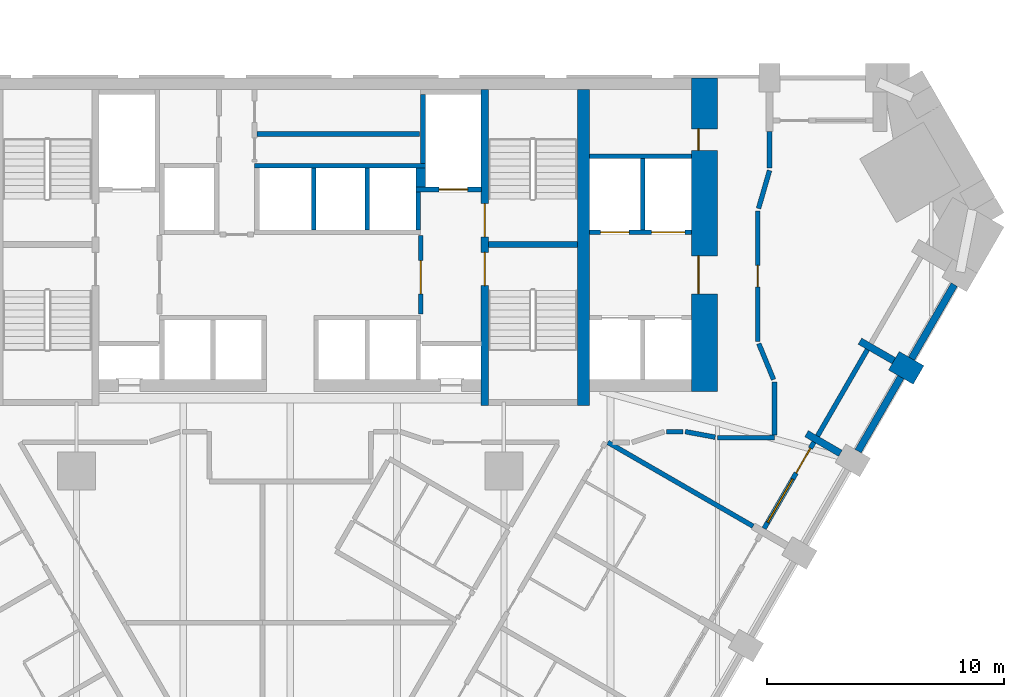
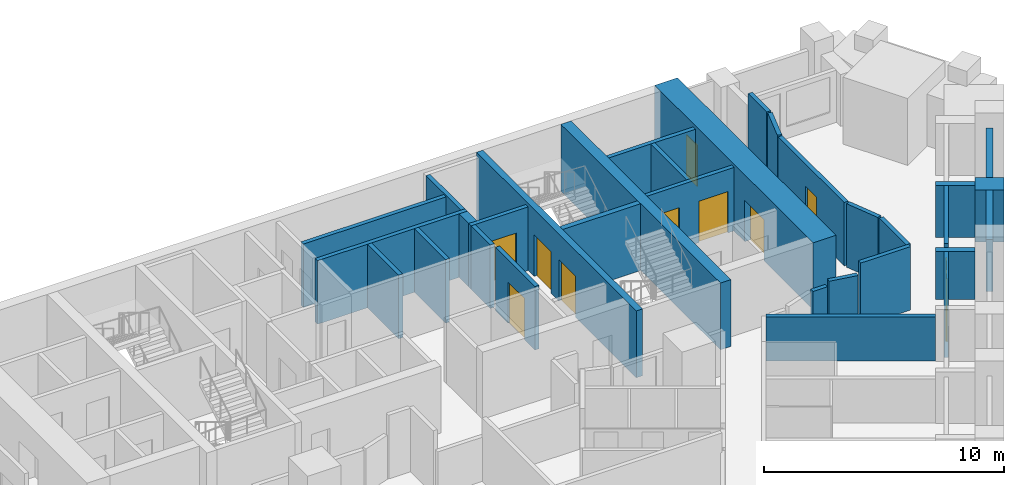
# One storey, part 9 of 12: 32 walls, 10 doors, 1 window, 11 openings.
"""IFC4 building model written with IfcOpenShell, lengths in metres."""

from ifc_helpers import new_model, si_unit, direction, frame, frame_2d, origin, place, context, subcontext, project, spatial, rectangle, extrude, material, layer, layer_set, type_object, element, fill, save


model = new_model("IFC4")

# Units and contexts
model_context = context("Model", 3, precision=1e-05, world=origin(), true_north=direction((0.0, 1.0)))
body_context = subcontext(model_context, "Body", "Model", "MODEL_VIEW")
ifc_project = project(units=[si_unit("LENGTHUNIT", "METRE"), si_unit("AREAUNIT", "SQUARE_METRE"), si_unit("VOLUMEUNIT", "CUBIC_METRE"), si_unit("PLANEANGLEUNIT", "RADIAN"), si_unit("MASSUNIT", "GRAM", prefix="KILO")], contexts=[model_context])

# Site, building, storey
site_placement = place(None, origin())
site = spatial("IfcSite", under=ifc_project, at=site_placement, CompositionType="ELEMENT")
building_placement = place(site_placement, origin())
building = spatial("IfcBuilding", under=site, at=building_placement, Name="Calabash Gate Tower", CompositionType="ELEMENT")
storey_placement = place(building_placement, frame((0.0, 0.0, 76.60009765625)))
storey = spatial("IfcBuildingStorey", under=building, at=storey_placement, Name="L15", CompositionType="ELEMENT", Elevation=76.60009765625)

# Walls
ifc_material_1 = material(Name="Terracotta brick masonry, exposed face", Category="masonry")
ifc_layer_1 = layer(ifc_material_1, 1.199951171875)
ifc_layer_set_1 = layer_set([ifc_layer_1], Name="Brick end wall 1200")
wall_type_1 = type_object("IfcWallType", Name="Brick end wall 1200", PredefinedType="SOLIDWALL", material=ifc_layer_set_1)
wall_1_placement = place(storey_placement, frame((26.467041015625, 6.537353515625, 0.0), z_axis=(0.0, 0.0, 1.0), x_axis=(-0.866043267704, 0.499969057507, 0.0)))
element("IfcWall", 1, at=wall_1_placement, inside=storey, type_object=wall_type_1, Name="Brick pier S04 SE2.9", PredefinedType="SOLIDWALL", context=body_context, shape_type="SweptSolid", body=[
    extrude(rectangle(XDim=1.19970703125, YDim=0.89990234375, at=frame_2d((0.599853515625, 0.0))), origin(), (0.0, 0.0, 1.0), 2.6298828125),
])
ifc_material_2 = material(Name="Terracotta brick masonry, exposed face", Category="masonry")
ifc_layer_2 = layer(ifc_material_2, 0.300048828125)
ifc_layer_set_2 = layer_set([ifc_layer_2], Name="Brick infill panel wall 300")
wall_type_2 = type_object("IfcWallType", Name="Brick infill panel wall 300", PredefinedType="SOLIDWALL", material=ifc_layer_set_2)
wall_2_placement = place(storey_placement, frame((23.92236328125, 3.329833984375, 0.0), z_axis=(0.0, 0.0, 1.0), x_axis=(0.500012057535, 0.866018442252, 0.0)))
element("IfcWall", 2, at=wall_2_placement, inside=storey, type_object=wall_type_2, Name="Brick panel S04 SE2.9", PredefinedType="SOLIDWALL", context=body_context, shape_type="SweptSolid", body=[
    extrude(rectangle(XDim=3.60009765625, YDim=0.300048828125, at=frame_2d((1.800048828125, 0.0))), origin(), (0.0, 0.0, 1.0), 2.6298828125),
])
wall_3_placement = place(storey_placement, frame((26.17236328125, 7.22705078125, 0.0), z_axis=(0.0, 0.0, 1.0), x_axis=(0.50001992892, 0.866013897511, 0.0)))
element("IfcWall", 3, at=wall_3_placement, inside=storey, type_object=wall_type_2, Name="Brick panel S04 SE2.10", PredefinedType="SOLIDWALL", context=body_context, shape_type="SweptSolid", body=[
    extrude(rectangle(XDim=3.599365234375, YDim=0.300048828125, at=frame_2d((1.7998046875, 0.0))), origin(), (0.0, 0.0, 1.0), 2.6298828125),
])
ifc_material_3 = material(Name="Terracotta brick masonry, exposed face", Category="masonry")
ifc_layer_3 = layer(ifc_material_3, 0.300048828125)
ifc_layer_set_3 = layer_set([ifc_layer_3], Name="Brick loggia cheek wall 300")
wall_type_3 = type_object("IfcWallType", Name="Brick loggia cheek wall 300", PredefinedType="SOLIDWALL", material=ifc_layer_set_3)
wall_4_placement = place(storey_placement, frame((23.177490234375, 3.240234375, 0.0), z_axis=(0.0, 0.0, 1.0), x_axis=(-0.865966208357, 0.500102515474, 0.0)))
element("IfcWall", 4, at=wall_4_placement, inside=storey, type_object=wall_type_3, Name="Loggia cheek S04 SE2.8", PredefinedType="SOLIDWALL", context=body_context, shape_type="SweptSolid", body=[
    extrude(rectangle(XDim=1.649658203125, YDim=0.300048828125, at=frame_2d((0.82470703125, 0.0))), origin(), (0.0, 0.0, 1.0), 2.449951171875),
])
wall_5_placement = place(storey_placement, frame((25.427978515625, 7.13720703125, 0.0), z_axis=(0.0, 0.0, 1.0), x_axis=(-0.866040211805, 0.499974350878, 0.0)))
element("IfcWall", 5, at=wall_5_placement, inside=storey, type_object=wall_type_3, Name="Loggia cheek S04 SE2.9", PredefinedType="SOLIDWALL", context=body_context, shape_type="SweptSolid", body=[
    extrude(rectangle(XDim=1.64990234375, YDim=0.300048828125, at=frame_2d((0.824951171875, 0.0))), origin(), (0.0, 0.0, 1.0), 2.64990234375),
])

# Wall, openings, doors
ifc_material_4 = material(Name="Concrete C80/95", Category="concrete")
ifc_layer_4 = layer(ifc_material_4, 1.10009765625)
ifc_layer_set_4 = layer_set([ifc_layer_4], Name="Core wall 1100 Concrete C80/95")
wall_type_4 = type_object("IfcWallType", Name="Core wall 1100 Concrete C80/95", PredefinedType="SHEAR", material=ifc_layer_set_4)
wall_6_placement = place(storey_placement, frame((17.449951171875, 5.8525390625, 0.0), z_axis=(0.0, 0.0, 1.0), x_axis=(0.0, 1.0, 0.0)))
wall_6 = element("IfcWall", 6, at=wall_6_placement, inside=storey, type_object=wall_type_4, Name="Core wall Z1-ENDE L15", PredefinedType="SHEAR", context=body_context, shape_type="SweptSolid", body=[
    extrude(rectangle(XDim=13.199951171875, YDim=1.10009765625, at=frame_2d((6.60009765625, 0.0))), origin(), (0.0, 0.0, 1.0), 3.39990234375),
])
opening_1_placement = place(wall_6_placement, frame((4.10009765625, 0.0, 0.0)))
opening_1 = element("IfcOpeningElement", 7, at=opening_1_placement, cuts=wall_6, Name="Opening H4-002", PredefinedType="OPENING", context=body_context, shape_type="SweptSolid", body=[
    extrude(rectangle(XDim=1.60009765625, YDim=2.10009765625, at=frame_2d((0.800048828125, 1.050048828125))), frame((0.0, 0.56005859375, 0.0), z_axis=(0.0, -1.0, 0.0), x_axis=(1.0, 0.0, 0.0)), (0.0, 0.0, 1.0), 1.1201171875),
])
opening_2_placement = place(wall_6_placement, frame((10.14990234375, 0.0, 0.0)))
opening_2 = element("IfcOpeningElement", 8, at=opening_2_placement, cuts=wall_6, Name="Opening H4-001", PredefinedType="OPENING", context=body_context, shape_type="SweptSolid", body=[
    extrude(rectangle(XDim=0.89990234375, YDim=2.10009765625, at=frame_2d((0.449951171875, 1.050048828125))), frame((0.0, 0.56005859375, 0.0), z_axis=(0.0, -1.0, 0.0), x_axis=(1.0, 0.0, 0.0)), (0.0, 0.0, 1.0), 1.1201171875),
])
ifc_material_5 = material(Name="Steel fire door set with fire-resisting glazing", Category="steel")
door_type_1 = type_object("IfcDoorType", Name="Double fire door D08 1600x2100 FD60", OperationType="DOUBLE_DOOR_SINGLE_SWING", PredefinedType="DOOR", material=ifc_material_5)
door_1_placement = place(opening_1_placement, origin())
door_1 = element("IfcDoor", 9, at=door_1_placement, inside=storey, type_object=door_type_1, Name="Low-rise Lift Lobby E door", OperationType="DOUBLE_DOOR_SINGLE_SWING", OverallHeight=2.10009765625, OverallWidth=1.60009765625, PredefinedType="DOOR", context=body_context, shape_type="SweptSolid", body=[
    extrude(rectangle(XDim=1.60009765625, YDim=2.10009765625, at=frame_2d((0.800048828125, 1.050048828125))), frame((0.0, 0.27490234375, 0.0), z_axis=(0.0, -1.0, 0.0), x_axis=(1.0, 0.0, 0.0)), (0.0, 0.0, 1.0), 0.050048828125),
])
fill(opening_1, door_1)
ifc_material_6 = material(Name="Steel fire door set with fire-resisting glazing", Category="steel")
door_type_2 = type_object("IfcDoorType", Name="Fire door D06 900x2100 FD60", OperationType="NOTDEFINED", PredefinedType="DOOR", material=ifc_material_6)
door_2_placement = place(opening_2_placement, origin())
door_2 = element("IfcDoor", 10, at=door_2_placement, inside=storey, type_object=door_type_2, Name="Housekeeping Store door", OperationType="SINGLE_SWING_LEFT", OverallHeight=2.10009765625, OverallWidth=0.89990234375, PredefinedType="DOOR", context=body_context, shape_type="SweptSolid", body=[
    extrude(rectangle(XDim=0.89990234375, YDim=2.10009765625, at=frame_2d((0.449951171875, 1.050048828125))), frame((0.0, 0.27490234375, 0.0), z_axis=(0.0, -1.0, 0.0), x_axis=(1.0, 0.0, 0.0)), (0.0, 0.0, 1.0), 0.050048828125),
])
fill(opening_2, door_2)

# Wall
ifc_material_7 = material(Name="Concrete C80/95", Category="concrete")
ifc_layer_5 = layer(ifc_material_7, 0.25)
ifc_layer_set_5 = layer_set([ifc_layer_5], Name="Core wall 250 Concrete C80/95")
wall_type_5 = type_object("IfcWallType", Name="Core wall 250 Concrete C80/95", PredefinedType="SHEAR", material=ifc_layer_set_5)
wall_7_placement = place(storey_placement, frame((8.35009765625, 12.027587890625, 0.0), z_axis=(0.0, 0.0, 1.0), x_axis=(1.0, 0.0, 0.0)))
element("IfcWall", 11, at=wall_7_placement, inside=storey, type_object=wall_type_5, Name="Core wall Z1-MIDE L15", PredefinedType="SHEAR", context=body_context, shape_type="SweptSolid", body=[
    extrude(rectangle(XDim=3.75, YDim=0.25, at=frame_2d((1.875, 0.0))), origin(), (0.0, 0.0, 1.0), 3.39990234375),
])

# Wall, openings, doors
ifc_material_8 = material(Name="Concrete C80/95", Category="concrete")
ifc_layer_6 = layer(ifc_material_8, 0.300048828125)
ifc_layer_set_6 = layer_set([ifc_layer_6], Name="Core wall 300 Concrete C80/95")
wall_type_6 = type_object("IfcWallType", Name="Core wall 300 Concrete C80/95", PredefinedType="SHEAR", material=ifc_layer_set_6)
wall_8_placement = place(storey_placement, frame((8.199951171875, 5.252685546875, 0.0), z_axis=(0.0, 0.0, 1.0), x_axis=(0.0, 1.0, 0.0)))
wall_8 = element("IfcWall", 12, at=wall_8_placement, inside=storey, type_object=wall_type_6, Name="Core wall Z1-PARTE L15", PredefinedType="SHEAR", context=body_context, shape_type="SweptSolid", body=[
    extrude(rectangle(XDim=13.2998046875, YDim=0.300048828125, at=frame_2d((6.64990234375, 0.0))), origin(), (0.0, 0.0, 1.0), 3.39990234375),
])
opening_3_placement = place(wall_8_placement, frame((7.10009765625, 0.0, 0.0)))
opening_3 = element("IfcOpeningElement", 13, at=opening_3_placement, cuts=wall_8, Name="Opening H4-015", PredefinedType="OPENING", context=body_context, shape_type="SweptSolid", body=[
    extrude(rectangle(XDim=1.39990234375, YDim=2.10009765625, at=frame_2d((0.699951171875, 1.050048828125))), frame((0.0, 0.159912109375, 0.0), z_axis=(0.0, -1.0, 0.0), x_axis=(1.0, 0.0, 0.0)), (0.0, 0.0, 1.0), 0.320068359375),
])
opening_4_placement = place(wall_8_placement, frame((5.050048828125, 0.0, 0.0)))
opening_4 = element("IfcOpeningElement", 14, at=opening_4_placement, cuts=wall_8, Name="Opening H4-016", PredefinedType="OPENING", context=body_context, shape_type="SweptSolid", body=[
    extrude(rectangle(XDim=1.39990234375, YDim=2.10009765625, at=frame_2d((0.699951171875, 1.050048828125))), frame((0.0, 0.159912109375, 0.0), z_axis=(0.0, -1.0, 0.0), x_axis=(1.0, 0.0, 0.0)), (0.0, 0.0, 1.0), 0.320068359375),
])
ifc_material_9 = material(Name="Steel fire door set with fire-resisting glazing", Category="steel")
door_type_3 = type_object("IfcDoorType", Name="Fire door D05 1400x2100 FD90", OperationType="NOTDEFINED", PredefinedType="DOOR", material=ifc_material_9)
door_3_placement = place(opening_3_placement, origin())
door_3 = element("IfcDoor", 15, at=door_3_placement, inside=storey, type_object=door_type_3, Name="Exit stair door ST3", OperationType="SINGLE_SWING_RIGHT", OverallHeight=2.10009765625, OverallWidth=1.39990234375, PredefinedType="DOOR", context=body_context, shape_type="SweptSolid", body=[
    extrude(rectangle(XDim=1.39990234375, YDim=2.10009765625, at=frame_2d((0.699951171875, 1.050048828125))), frame((0.0, 0.02490234375, 0.0), z_axis=(0.0, -1.0, 0.0), x_axis=(1.0, 0.0, 0.0)), (0.0, 0.0, 1.0), 0.050048828125),
])
fill(opening_3, door_3)
door_4_placement = place(opening_4_placement, origin())
door_4 = element("IfcDoor", 16, at=door_4_placement, inside=storey, type_object=door_type_3, Name="Exit stair door ST4", OperationType="SINGLE_SWING_LEFT", OverallHeight=2.10009765625, OverallWidth=1.39990234375, PredefinedType="DOOR", context=body_context, shape_type="SweptSolid", body=[
    extrude(rectangle(XDim=1.39990234375, YDim=2.10009765625, at=frame_2d((0.699951171875, 1.050048828125))), frame((0.0, 0.02490234375, 0.0), z_axis=(0.0, -1.0, 0.0), x_axis=(1.0, 0.0, 0.0)), (0.0, 0.0, 1.0), 0.050048828125),
])
fill(opening_4, door_4)

# Walls
ifc_material_10 = material(Name="Concrete C80/95", Category="concrete")
ifc_layer_7 = layer(ifc_material_10, 0.5)
ifc_layer_set_7 = layer_set([ifc_layer_7], Name="Core wall 500 Concrete C80/95")
wall_type_7 = type_object("IfcWallType", Name="Core wall 500 Concrete C80/95", PredefinedType="SHEAR", material=ifc_layer_set_7)
wall_9_placement = place(storey_placement, frame((12.35009765625, 5.252685546875, 0.0), z_axis=(0.0, 0.0, 1.0), x_axis=(0.0, 1.0, 0.0)))
element("IfcWall", 17, at=wall_9_placement, inside=storey, type_object=wall_type_7, Name="Core wall Z1-COLE L15", PredefinedType="SHEAR", context=body_context, shape_type="SweptSolid", body=[
    extrude(rectangle(XDim=13.2998046875, YDim=0.5, at=frame_2d((6.64990234375, 0.0))), origin(), (0.0, 0.0, 1.0), 3.39990234375),
])
ifc_material_11 = material(Name="Gypsum board on steel studs, mineral wool", Category="steel")
ifc_layer_8 = layer(ifc_material_11, 0.199951171875)
ifc_layer_set_8 = layer_set([ifc_layer_8], Name="Partition 200 gypsum board EI 60")
wall_type_8 = type_object("IfcWallType", Name="Partition 200 gypsum board EI 60", PredefinedType="PARTITIONING", material=ifc_layer_set_8)
wall_10_placement = place(storey_placement, frame((13.38330078125, 3.699462890625, 0.0), z_axis=(0.0, 0.0, 1.0), x_axis=(0.866028421525, -0.499994773084, 0.0)))
element("IfcWall", 18, at=wall_10_placement, inside=storey, type_object=wall_type_8, Name="Partition", PredefinedType="PARTITIONING", context=body_context, shape_type="SweptSolid", body=[
    extrude(rectangle(XDim=7.06201171875, YDim=0.199951171875, at=frame_2d((3.531005859375, 0.0))), origin(), (0.0, 0.0, 1.0), 2.24169921875),
])
wall_11_placement = place(storey_placement, frame((18.0, 3.8994140625, 0.0), z_axis=(0.0, 0.0, 1.0), x_axis=(0.999999979311, 0.000203417408, 0.0)))
element("IfcWall", 19, at=wall_11_placement, inside=storey, type_object=wall_type_8, Name="Partition", PredefinedType="PARTITIONING", context=body_context, shape_type="SweptSolid", body=[
    extrude(rectangle(XDim=2.400390625, YDim=0.199951171875, at=frame_2d((1.2001953125, 0.0))), origin(), (0.0, 0.0, 1.0), 3.22998046875),
])
wall_12_placement = place(storey_placement, frame((20.400390625, 4.0, 0.0), z_axis=(0.0, 0.0, 1.0), x_axis=(0.0, 1.0, 0.0)))
element("IfcWall", 20, at=wall_12_placement, inside=storey, type_object=wall_type_8, Name="Partition", PredefinedType="PARTITIONING", context=body_context, shape_type="SweptSolid", body=[
    extrude(rectangle(XDim=2.252685546875, YDim=0.199951171875, at=frame_2d((1.12646484375, 0.0))), origin(), (0.0, 0.0, 1.0), 3.22998046875),
])
wall_13_placement = place(storey_placement, frame((15.85791015625, 4.152099609375, 0.0), z_axis=(0.0, 0.0, 1.0), x_axis=(1.0, 0.0, 0.0)))
element("IfcWall", 21, at=wall_13_placement, inside=storey, type_object=wall_type_8, Name="Partition", PredefinedType="PARTITIONING", context=body_context, shape_type="SweptSolid", body=[
    extrude(rectangle(XDim=0.684326171875, YDim=0.199951171875, at=frame_2d((0.34228515625, 0.0))), origin(), (0.0, 0.0, 1.0), 2.384033203125),
])
wall_14_placement = place(storey_placement, frame((16.642333984375, 4.152099609375, 0.0), z_axis=(0.0, 0.0, 1.0), x_axis=(0.983117293899, -0.182976464161, 0.0)))
element("IfcWall", 22, at=wall_14_placement, inside=storey, type_object=wall_type_8, Name="Partition", PredefinedType="PARTITIONING", context=body_context, shape_type="SweptSolid", body=[
    extrude(rectangle(XDim=1.281005859375, YDim=0.199951171875, at=frame_2d((0.640625, 0.0))), origin(), (0.0, 0.0, 1.0), 2.6279296875),
])
wall_15_placement = place(storey_placement, frame((19.738525390625, 7.860107421875, 0.0), z_axis=(0.0, 0.0, 1.0), x_axis=(0.380749805254, -0.924678098475, 0.0)))
element("IfcWall", 23, at=wall_15_placement, inside=storey, type_object=wall_type_8, Name="Partition", PredefinedType="PARTITIONING", context=body_context, shape_type="SweptSolid", body=[
    extrude(rectangle(XDim=1.63818359375, YDim=0.199951171875, at=frame_2d((0.819091796875, 0.0))), origin(), (0.0, 0.0, 1.0), 3.22998046875),
])

# Wall, opening, door
wall_16_placement = place(storey_placement, frame((19.700439453125, 7.95263671875, 0.0), z_axis=(0.0, 0.0, 1.0), x_axis=(0.0, 1.0, 0.0)))
wall_16 = element("IfcWall", 24, at=wall_16_placement, inside=storey, type_object=wall_type_8, Name="Partition", PredefinedType="PARTITIONING", context=body_context, shape_type="SweptSolid", body=[
    extrude(rectangle(XDim=5.499755859375, YDim=0.199951171875, at=frame_2d((2.75, 0.0))), origin(), (0.0, 0.0, 1.0), 3.22998046875),
])
opening_5_placement = place(wall_16_placement, frame((2.2998046875, 0.0, 0.0)))
opening_5 = element("IfcOpeningElement", 25, at=opening_5_placement, cuts=wall_16, Name="Opening 15-17-040", PredefinedType="OPENING", context=body_context, shape_type="SweptSolid", body=[
    extrude(rectangle(XDim=0.89990234375, YDim=2.10009765625, at=frame_2d((0.449951171875, 1.050048828125))), frame((0.0, 0.10986328125, 0.0), z_axis=(0.0, -1.0, 0.0), x_axis=(1.0, 0.0, 0.0)), (0.0, 0.0, 1.0), 0.219970703125),
])
ifc_material_12 = material(Name="Steel fire door set with fire-resisting glazing", Category="steel")
door_type_4 = type_object("IfcDoorType", Name="SD3 Store door 900x2100", OperationType="NOTDEFINED", PredefinedType="DOOR", material=ifc_material_12)
door_5_placement = place(opening_5_placement, origin())
door_5 = element("IfcDoor", 26, at=door_5_placement, inside=storey, type_object=door_type_4, Name="Store door", OperationType="SINGLE_SWING_RIGHT", OverallHeight=2.10009765625, OverallWidth=0.89990234375, PredefinedType="DOOR", context=body_context, shape_type="SweptSolid", body=[
    extrude(rectangle(XDim=0.89990234375, YDim=2.10009765625, at=frame_2d((0.449951171875, 1.050048828125))), frame((0.0, 0.02490234375, 0.0), z_axis=(0.0, -1.0, 0.0), x_axis=(1.0, 0.0, 0.0)), (0.0, 0.0, 1.0), 0.050048828125),
])
fill(opening_5, door_5)

# Walls
wall_17_placement = place(storey_placement, frame((19.728271484375, 13.548583984375, 0.0), z_axis=(0.0, 0.0, 1.0), x_axis=(0.277983512343, 0.960585845651, 0.0)))
element("IfcWall", 27, at=wall_17_placement, inside=storey, type_object=wall_type_8, Name="Partition", PredefinedType="PARTITIONING", context=body_context, shape_type="SweptSolid", body=[
    extrude(rectangle(XDim=1.669677734375, YDim=0.199951171875, at=frame_2d((0.8349609375, 0.0))), origin(), (0.0, 0.0, 1.0), 3.22998046875),
])
wall_18_placement = place(storey_placement, frame((20.1923828125, 15.25244140625, 0.0), z_axis=(0.0, 0.0, 1.0), x_axis=(0.0, 1.0, 0.0)))
element("IfcWall", 28, at=wall_18_placement, inside=storey, type_object=wall_type_8, Name="Partition", PredefinedType="PARTITIONING", context=body_context, shape_type="SweptSolid", body=[
    extrude(rectangle(XDim=1.550048828125, YDim=0.199951171875, at=frame_2d((0.77490234375, 0.0))), origin(), (0.0, 0.0, 1.0), 3.22998046875),
])

# Wall, opening, door
ifc_material_13 = material(Name="Concrete C40/50", Category="concrete")
ifc_layer_9 = layer(ifc_material_13, 0.199951171875)
ifc_layer_set_9 = layer_set([ifc_layer_9], Name="Shaft wall 200 Concrete C40/50")
wall_type_9 = type_object("IfcWallType", Name="Shaft wall 200 Concrete C40/50", PredefinedType="SOLIDWALL", material=ifc_layer_set_9)
wall_19_placement = place(storey_placement, frame((5.5, 9.1025390625, 0.0), z_axis=(0.0, 0.0, 1.0), x_axis=(0.0, 1.0, 0.0)))
wall_19 = element("IfcWall", 29, at=wall_19_placement, inside=storey, type_object=wall_type_9, Name="Shaft wall", PredefinedType="SOLIDWALL", context=body_context, shape_type="SweptSolid", body=[
    extrude(rectangle(XDim=3.300048828125, YDim=0.199951171875, at=frame_2d((1.64990234375, 0.0))), origin(), (0.0, 0.0, 1.0), 3.22998046875),
])
opening_6_placement = place(wall_19_placement, frame((0.85009765625, 0.0, 0.0)))
opening_6 = element("IfcOpeningElement", 30, at=opening_6_placement, cuts=wall_19, Name="Opening H4-006", PredefinedType="OPENING", context=body_context, shape_type="SweptSolid", body=[
    extrude(rectangle(XDim=1.39990234375, YDim=2.10009765625, at=frame_2d((0.699951171875, 1.050048828125))), frame((0.0, 0.10986328125, 0.0), z_axis=(0.0, -1.0, 0.0), x_axis=(1.0, 0.0, 0.0)), (0.0, 0.0, 1.0), 0.219970703125),
])
door_6_placement = place(opening_6_placement, origin())
door_6 = element("IfcDoor", 31, at=door_6_placement, inside=storey, type_object=door_type_3, Name="Firefighting Lobby E door", OperationType="SINGLE_SWING_LEFT", OverallHeight=2.10009765625, OverallWidth=1.39990234375, PredefinedType="DOOR", context=body_context, shape_type="SweptSolid", body=[
    extrude(rectangle(XDim=1.39990234375, YDim=2.10009765625, at=frame_2d((0.699951171875, 1.050048828125))), frame((0.0, 0.02490234375, 0.0), z_axis=(0.0, -1.0, 0.0), x_axis=(1.0, 0.0, 0.0)), (0.0, 0.0, 1.0), 0.050048828125),
])
fill(opening_6, door_6)

# Wall, openings, doors
wall_20_placement = place(storey_placement, frame((12.60009765625, 12.552490234375, 0.0), z_axis=(0.0, 0.0, 1.0), x_axis=(1.0, 0.0, 0.0)))
wall_20 = element("IfcWall", 32, at=wall_20_placement, inside=storey, type_object=wall_type_9, Name="Shaft wall", PredefinedType="SOLIDWALL", context=body_context, shape_type="SweptSolid", body=[
    extrude(rectangle(XDim=4.2998046875, YDim=0.199951171875, at=frame_2d((2.14990234375, 0.0))), origin(), (0.0, 0.0, 1.0), 3.22998046875),
])
opening_7_placement = place(wall_20_placement, frame((0.47509765625, 0.0, 0.0)))
opening_7 = element("IfcOpeningElement", 33, at=opening_7_placement, cuts=wall_20, Name="Opening LD-SL1", PredefinedType="OPENING", context=body_context, shape_type="SweptSolid", body=[
    extrude(rectangle(XDim=1.199951171875, YDim=2.10009765625, at=frame_2d((0.60009765625, 1.050048828125))), frame((0.0, 0.10986328125, 0.0), z_axis=(0.0, -1.0, 0.0), x_axis=(1.0, 0.0, 0.0)), (0.0, 0.0, 1.0), 0.219970703125),
])
opening_8_placement = place(wall_20_placement, frame((2.625, 0.0, 0.0)))
opening_8 = element("IfcOpeningElement", 34, at=opening_8_placement, cuts=wall_20, Name="Opening LD-GL1", PredefinedType="OPENING", context=body_context, shape_type="SweptSolid", body=[
    extrude(rectangle(XDim=1.39990234375, YDim=2.10009765625, at=frame_2d((0.699951171875, 1.050048828125))), frame((0.0, 0.10986328125, 0.0), z_axis=(0.0, -1.0, 0.0), x_axis=(1.0, 0.0, 0.0)), (0.0, 0.0, 1.0), 0.219970703125),
])
ifc_material_14 = material(Name="Stainless steel sliding door leaves", Category="steel")
door_type_5 = type_object("IfcDoorType", Name="Lift landing door LS3 1200x2100 FD90", OperationType="DOUBLE_DOOR_SLIDING", PredefinedType="DOOR", material=ifc_material_14)
door_7_placement = place(opening_7_placement, origin())
door_7 = element("IfcDoor", 35, at=door_7_placement, inside=storey, type_object=door_type_5, Name="Lift landing door SL1", OperationType="DOUBLE_DOOR_SLIDING", OverallHeight=2.10009765625, OverallWidth=1.199951171875, PredefinedType="DOOR", context=body_context, shape_type="SweptSolid", body=[
    extrude(rectangle(XDim=1.199951171875, YDim=2.10009765625, at=frame_2d((0.60009765625, 1.050048828125))), frame((0.0, 0.02490234375, 0.0), z_axis=(0.0, -1.0, 0.0), x_axis=(1.0, 0.0, 0.0)), (0.0, 0.0, 1.0), 0.050048828125),
])
fill(opening_7, door_7)
ifc_material_15 = material(Name="Stainless steel sliding door leaves", Category="steel")
door_type_6 = type_object("IfcDoorType", Name="Lift landing door LS4 1400x2100 FD90", OperationType="DOUBLE_DOOR_SLIDING", PredefinedType="DOOR", material=ifc_material_15)
door_8_placement = place(opening_8_placement, origin())
door_8 = element("IfcDoor", 36, at=door_8_placement, inside=storey, type_object=door_type_6, Name="Lift landing door GL1", OperationType="DOUBLE_DOOR_SLIDING", OverallHeight=2.10009765625, OverallWidth=1.39990234375, PredefinedType="DOOR", context=body_context, shape_type="SweptSolid", body=[
    extrude(rectangle(XDim=1.39990234375, YDim=2.10009765625, at=frame_2d((0.699951171875, 1.050048828125))), frame((0.0, 0.02490234375, 0.0), z_axis=(0.0, -1.0, 0.0), x_axis=(1.0, 0.0, 0.0)), (0.0, 0.0, 1.0), 0.050048828125),
])
fill(opening_8, door_8)

# Walls
for number, where, z_axis, x_axis, name in (
    (37, (1.0, 12.652587890625, 0.0), (0.0, 0.0, 1.0), (0.0, 1.0, 0.0), "Shaft wall"),
    (38, (3.25, 12.652587890625, 0.0), (0.0, 0.0, 1.0), (0.0, 1.0, 0.0), "Shaft wall"),
):
    element("IfcWall", number, at=place(storey_placement, frame(where, z_axis=z_axis, x_axis=x_axis)), inside=storey, type_object=wall_type_9, Name=name, PredefinedType="SOLIDWALL", context=body_context, shape_type="SweptSolid", body=[
        extrude(rectangle(XDim=2.60009765625, YDim=0.199951171875, at=frame_2d((1.300048828125, 0.0))), origin(), (0.0, 0.0, 1.0), 3.22998046875),
    ])
wall_21_placement = place(storey_placement, frame((5.39990234375, 12.652587890625, 0.0), z_axis=(0.0, 0.0, 1.0), x_axis=(0.0, 1.0, 0.0)))
element("IfcWall", 39, at=wall_21_placement, inside=storey, type_object=wall_type_9, Name="Shaft wall", PredefinedType="SOLIDWALL", context=body_context, shape_type="SweptSolid", body=[
    extrude(rectangle(XDim=1.60009765625, YDim=0.199951171875, at=frame_2d((0.800048828125, 0.0))), origin(), (0.0, 0.0, 1.0), 3.22998046875),
])
wall_22_placement = place(storey_placement, frame((14.85009765625, 12.652587890625, 0.0), z_axis=(0.0, 0.0, 1.0), x_axis=(0.0, 1.0, 0.0)))
element("IfcWall", 40, at=wall_22_placement, inside=storey, type_object=wall_type_9, Name="Shaft wall", PredefinedType="SOLIDWALL", context=body_context, shape_type="SweptSolid", body=[
    extrude(rectangle(XDim=3.0, YDim=0.199951171875, at=frame_2d((1.5, 0.0))), origin(), (0.0, 0.0, 1.0), 3.22998046875),
])

# Wall, opening, door
wall_23_placement = place(storey_placement, frame((5.300048828125, 14.3525390625, 0.0), z_axis=(0.0, 0.0, 1.0), x_axis=(1.0, 0.0, 0.0)))
wall_23 = element("IfcWall", 41, at=wall_23_placement, inside=storey, type_object=wall_type_9, Name="Shaft wall", PredefinedType="SOLIDWALL", context=body_context, shape_type="SweptSolid", body=[
    extrude(rectangle(XDim=2.75, YDim=0.199951171875, at=frame_2d((1.375, 0.0))), origin(), (0.0, 0.0, 1.0), 3.22998046875),
])
opening_9_placement = place(wall_23_placement, frame((0.97509765625, 0.0, 0.0)))
opening_9 = element("IfcOpeningElement", 42, at=opening_9_placement, cuts=wall_23, Name="Opening LD-FF2", PredefinedType="OPENING", context=body_context, shape_type="SweptSolid", body=[
    extrude(rectangle(XDim=1.199951171875, YDim=2.10009765625, at=frame_2d((0.60009765625, 1.050048828125))), frame((0.0, 0.10986328125, 0.0), z_axis=(0.0, -1.0, 0.0), x_axis=(1.0, 0.0, 0.0)), (0.0, 0.0, 1.0), 0.219970703125),
])
door_9_placement = place(opening_9_placement, origin())
door_9 = element("IfcDoor", 43, at=door_9_placement, inside=storey, type_object=door_type_5, Name="Lift landing door FF2", OperationType="DOUBLE_DOOR_SLIDING", OverallHeight=2.10009765625, OverallWidth=1.199951171875, PredefinedType="DOOR", context=body_context, shape_type="SweptSolid", body=[
    extrude(rectangle(XDim=1.199951171875, YDim=2.10009765625, at=frame_2d((0.60009765625, 1.050048828125))), frame((0.0, 0.02490234375, 0.0), z_axis=(0.0, -1.0, 0.0), x_axis=(1.0, 0.0, 0.0)), (0.0, 0.0, 1.0), 0.050048828125),
])
fill(opening_9, door_9)

# Walls
wall_24_placement = place(storey_placement, frame((5.5, 14.45263671875, 0.0), z_axis=(0.0, 0.0, 1.0), x_axis=(0.0, 1.0, 0.0)))
element("IfcWall", 44, at=wall_24_placement, inside=storey, type_object=wall_type_9, Name="Shaft wall", PredefinedType="SOLIDWALL", context=body_context, shape_type="SweptSolid", body=[
    extrude(rectangle(XDim=0.800048828125, YDim=0.39990234375, at=frame_2d((0.39990234375, 0.0))), origin(), (0.0, 0.0, 1.0), 3.22998046875),
])
wall_25_placement = place(storey_placement, frame((-1.5, 15.3525390625, 0.0), z_axis=(0.0, 0.0, 1.0), x_axis=(1.0, 0.0, 0.0)))
element("IfcWall", 45, at=wall_25_placement, inside=storey, type_object=wall_type_9, Name="Shaft wall", PredefinedType="SOLIDWALL", context=body_context, shape_type="SweptSolid", body=[
    extrude(rectangle(XDim=7.199951171875, YDim=0.199951171875, at=frame_2d((3.60009765625, 0.0))), origin(), (0.0, 0.0, 1.0), 3.22998046875),
])
wall_26_placement = place(storey_placement, frame((5.60009765625, 15.45263671875, 0.0), z_axis=(0.0, 0.0, 1.0), x_axis=(0.0, 1.0, 0.0)))
element("IfcWall", 46, at=wall_26_placement, inside=storey, type_object=wall_type_9, Name="Shaft wall", PredefinedType="SOLIDWALL", context=body_context, shape_type="SweptSolid", body=[
    extrude(rectangle(XDim=2.89990234375, YDim=0.199951171875, at=frame_2d((1.449951171875, 0.0))), origin(), (0.0, 0.0, 1.0), 3.22998046875),
])
wall_27_placement = place(storey_placement, frame((12.60009765625, 15.752685546875, 0.0), z_axis=(0.0, 0.0, 1.0), x_axis=(1.0, 0.0, 0.0)))
element("IfcWall", 47, at=wall_27_placement, inside=storey, type_object=wall_type_9, Name="Shaft wall", PredefinedType="SOLIDWALL", context=body_context, shape_type="SweptSolid", body=[
    extrude(rectangle(XDim=4.2998046875, YDim=0.199951171875, at=frame_2d((2.14990234375, 0.0))), origin(), (0.0, 0.0, 1.0), 3.22998046875),
])
wall_28_placement = place(storey_placement, frame((-1.39990234375, 16.692626953125, 0.0), z_axis=(0.0, 0.0, 1.0), x_axis=(1.0, 0.0, 0.0)))
element("IfcWall", 48, at=wall_28_placement, inside=storey, type_object=wall_type_9, Name="Shaft wall", PredefinedType="SOLIDWALL", context=body_context, shape_type="SweptSolid", body=[
    extrude(rectangle(XDim=6.849853515625, YDim=0.199951171875, at=frame_2d((3.4248046875, 0.0))), origin(), (0.0, 0.0, 1.0), 3.22998046875),
])

# Wall, openings, door, window
ifc_material_16 = material(Name="Aluminium framed window wall with insulated spandrel", Category="aluminium")
ifc_layer_10 = layer(ifc_material_16, 0.199951171875)
ifc_layer_set_10 = layer_set([ifc_layer_10], Name="Window wall 200")
wall_type_10 = type_object("IfcWallType", Name="Window wall 200", PredefinedType="ELEMENTEDWALL", material=ifc_layer_set_10)
wall_29_placement = place(storey_placement, frame((19.963623046875, 0.072998046875, 0.0), z_axis=(0.0, 0.0, 1.0), x_axis=(0.500027713859, 0.866009402589, 0.0)))
wall_29 = element("IfcWall", 49, at=wall_29_placement, inside=storey, type_object=wall_type_10, Name="Window wall S04 SE2.8", PredefinedType="ELEMENTEDWALL", context=body_context, shape_type="SweptSolid", body=[
    extrude(rectangle(XDim=4.199951171875, YDim=0.199951171875, at=frame_2d((2.10009765625, 0.0))), origin(), (0.0, 0.0, 1.0), 2.449951171875),
])
opening_10_placement = place(wall_29_placement, frame((0.300048828125, 0.0, 0.60009765625)))
opening_10 = element("IfcOpeningElement", 50, at=opening_10_placement, cuts=wall_29, Name="Opening HW1L-1750", PredefinedType="OPENING", context=body_context, shape_type="SweptSolid", body=[
    extrude(rectangle(XDim=2.10009765625, YDim=1.75, at=frame_2d((1.050048828125, 0.875))), frame((0.0, 0.10986328125, 0.0), z_axis=(0.0, -1.0, 0.0), x_axis=(1.0, 0.0, 0.0)), (0.0, 0.0, 1.0), 0.219970703125),
])
opening_11_placement = place(wall_29_placement, frame((2.699951171875, 0.0, 0.0)))
opening_11 = element("IfcOpeningElement", 51, at=opening_11_placement, cuts=wall_29, Name="Opening H4-025", PredefinedType="OPENING", context=body_context, shape_type="SweptSolid", body=[
    extrude(rectangle(XDim=1.199951171875, YDim=2.35009765625, at=frame_2d((0.60009765625, 1.175048828125))), frame((0.0, 0.10986328125, 0.0), z_axis=(0.0, -1.0, 0.0), x_axis=(1.0, 0.0, 0.0)), (0.0, 0.0, 1.0), 0.219970703125),
])
ifc_material_17 = material(Name="Anodised aluminium frame, bronze finish, impact-rated laminated clear glazing", Category="aluminium")
door_type_7 = type_object("IfcDoorType", Name="Loggia door DH1L-2350 1200x2350", OperationType="SLIDING_TO_LEFT", PredefinedType="DOOR", material=ifc_material_17)
door_10_placement = place(opening_11_placement, origin())
door_10 = element("IfcDoor", 52, at=door_10_placement, inside=storey, type_object=door_type_7, Name="Loggia door S04 SE2.8", OperationType="SINGLE_SWING_LEFT", OverallHeight=2.35009765625, OverallWidth=1.199951171875, PredefinedType="DOOR", context=body_context, shape_type="SweptSolid", body=[
    extrude(rectangle(XDim=1.199951171875, YDim=2.35009765625, at=frame_2d((0.60009765625, 1.175048828125))), frame((0.0, 0.02490234375, 0.0), z_axis=(0.0, -1.0, 0.0), x_axis=(1.0, 0.0, 0.0)), (0.0, 0.0, 1.0), 0.050048828125),
])
fill(opening_11, door_10)
ifc_material_18 = material(Name="Anodised aluminium frame, bronze finish, impact-rated laminated clear glazing", Category="aluminium")
window_type = type_object("IfcWindowType", Name="Window HW1L 2100x1750", PartitioningType="DOUBLE_PANEL_VERTICAL", PredefinedType="WINDOW", material=ifc_material_18)
window_placement = place(opening_10_placement, origin())
window = element("IfcWindow", 53, at=window_placement, inside=storey, type_object=window_type, Name="Window HW1 S04 SE2.8", OverallHeight=1.75, OverallWidth=2.10009765625, PartitioningType="SINGLE_PANEL", PredefinedType="WINDOW", context=body_context, shape_type="SweptSolid", body=[
    extrude(rectangle(XDim=2.10009765625, YDim=1.75, at=frame_2d((1.050048828125, 0.875))), frame((0.0, 0.030029296875, 0.0), z_axis=(0.0, -1.0, 0.0), x_axis=(1.0, 0.0, 0.0)), (0.0, 0.0, 1.0), 0.06005859375),
])
fill(opening_10, window)

# Wall
wall_30_placement = place(storey_placement, frame((22.213623046875, 3.969970703125, 0.0), z_axis=(0.0, 0.0, 1.0), x_axis=(0.500002543286, 0.866023935413, 0.0)))
element("IfcWall", 54, at=wall_30_placement, inside=storey, type_object=wall_type_10, Name="Window wall S04 SE2.9", PredefinedType="ELEMENTEDWALL", context=body_context, shape_type="SweptSolid", body=[
    extrude(rectangle(XDim=4.2001953125, YDim=0.199951171875, at=frame_2d((2.10009765625, 0.0))), origin(), (0.0, 0.0, 1.0), 2.64990234375),
])

save(model, "model.ifc")
